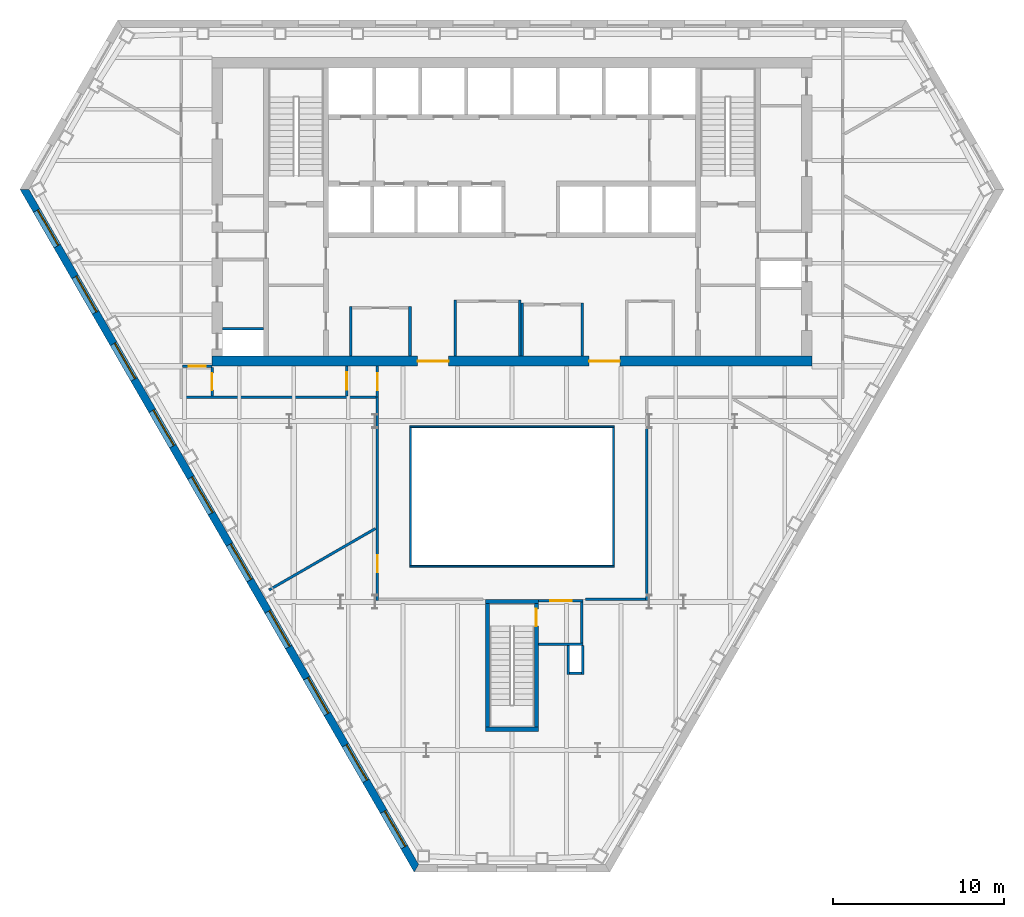
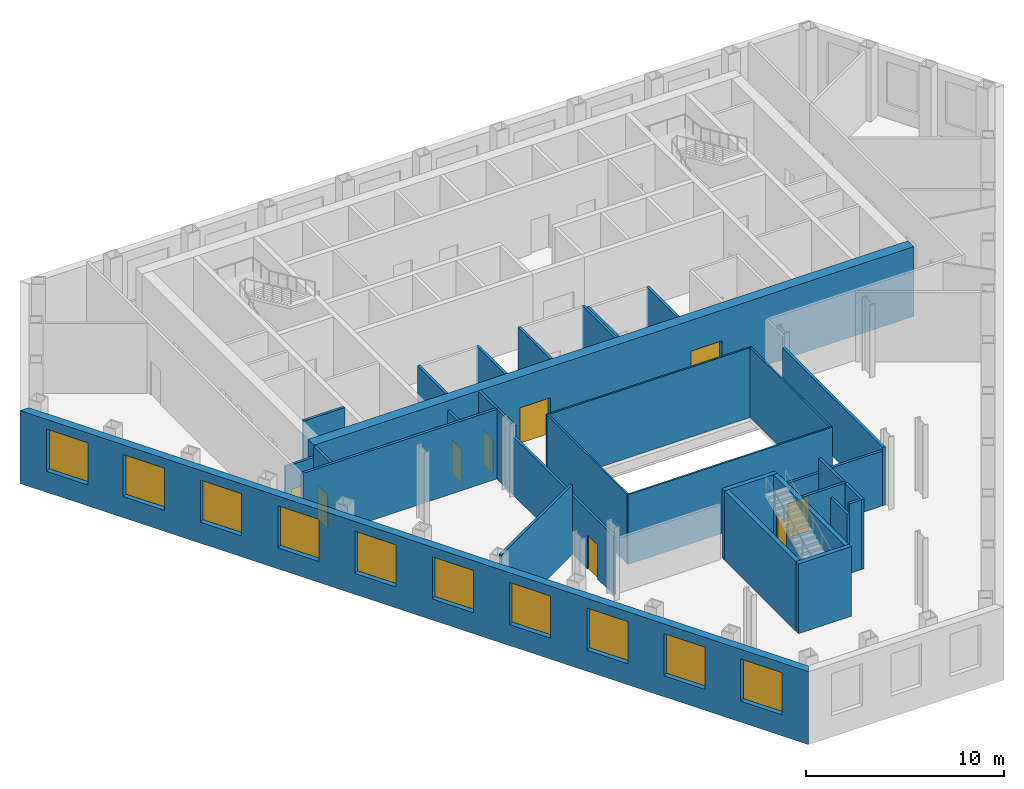
# One storey, part 4 of 10: 33 walls, 10 windows, 9 doors, 19 openings.
"""IFC4 building model written with IfcOpenShell, lengths in metres."""

from ifc_helpers import new_model, si_unit, direction, frame, frame_2d, origin, place, context, subcontext, project, spatial, polyline, rectangle, outline, extrude, material, layer, layer_set, type_object, element, fill, save


model = new_model("IFC4")

# Units and contexts
model_context = context("Model", 3, precision=1e-05, world=origin(), true_north=direction((0.0, 1.0)))
body_context = subcontext(model_context, "Body", "Model", "MODEL_VIEW")
ifc_project = project(units=[si_unit("LENGTHUNIT", "METRE"), si_unit("AREAUNIT", "SQUARE_METRE"), si_unit("VOLUMEUNIT", "CUBIC_METRE"), si_unit("PLANEANGLEUNIT", "RADIAN"), si_unit("MASSUNIT", "GRAM", prefix="KILO")], contexts=[model_context])

# Site, building, storey
site_placement = place(None, origin())
site = spatial("IfcSite", under=ifc_project, at=site_placement, CompositionType="ELEMENT")
building_placement = place(site_placement, origin())
building = spatial("IfcBuilding", under=site, at=building_placement, Name="Njiva Tower", CompositionType="ELEMENT")
storey_placement = place(building_placement, frame((0.0, 0.0, 51.3)))
storey = spatial("IfcBuildingStorey", under=building, at=storey_placement, Name="L10", CompositionType="ELEMENT", Elevation=51.3)

# Walls
ifc_material_1 = material(Name="Blockwork", Category="masonry")
ifc_layer_1 = layer(ifc_material_1, 0.15)
ifc_layer_set_1 = layer_set([ifc_layer_1], Name="Blockwork")
wall_type_1 = type_object("IfcWallType", Name="WT1 Compartment partition 150", PredefinedType="PARTITIONING", material=ifc_layer_set_1)
for number, where, z_axis, x_axis, name in (
    (1, (-9.4, 0.6, 0.0), (0.0, 0.0, 1.0), (0.0, 1.0, 0.0), "Waiting room wall west"),
    (2, (-5.95, 0.6, 0.0), (0.0, 0.0, 1.0), (0.0, 1.0, 0.0), "Waiting room wall east"),
):
    element("IfcWall", number, at=place(storey_placement, frame(where, z_axis=z_axis, x_axis=x_axis)), inside=storey, type_object=wall_type_1, Name=name, PredefinedType="PARTITIONING", context=body_context, shape_type="SweptSolid", body=[
        extrude(rectangle(XDim=2.875, YDim=0.15, at=frame_2d((1.4375, 0.0))), origin(), (0.0, 0.0, 1.0), 4.3),
    ])
for number, where, z_axis, x_axis, name in (
    (3, (-3.3, 0.6, 0.0), (0.0, 0.0, 1.0), (0.0, 1.0, 0.0), "First aid room wall west"),
    (4, (0.45, 0.6, 0.0), (0.0, 0.0, 1.0), (0.0, 1.0, 0.0), "First aid room wall east"),
):
    element("IfcWall", number, at=place(storey_placement, frame(where, z_axis=z_axis, x_axis=x_axis)), inside=storey, type_object=wall_type_1, Name=name, PredefinedType="PARTITIONING", context=body_context, shape_type="SweptSolid", body=[
        extrude(rectangle(XDim=3.275, YDim=0.15, at=frame_2d((1.6375, 0.0))), origin(), (0.0, 0.0, 1.0), 4.3),
    ])
for number, where, z_axis, x_axis, name in (
    (5, (0.6, 0.6, 0.0), (0.0, 0.0, 1.0), (0.0, 1.0, 0.0), "Parcel room wall west"),
    (6, (4.1, 0.6, 0.0), (0.0, 0.0, 1.0), (0.0, 1.0, 0.0), "Parcel room wall east"),
):
    element("IfcWall", number, at=place(storey_placement, frame(where, z_axis=z_axis, x_axis=x_axis)), inside=storey, type_object=wall_type_1, Name=name, PredefinedType="PARTITIONING", context=body_context, shape_type="SweptSolid", body=[
        extrude(rectangle(XDim=3.075, YDim=0.15, at=frame_2d((1.5375, 0.0))), origin(), (0.0, 0.0, 1.0), 4.3),
    ])

# Wall, openings, doors
ifc_material_2 = material(Name="Concrete C60/75", Category="concrete")
ifc_layer_2 = layer(ifc_material_2, 0.6)
ifc_layer_set_2 = layer_set([ifc_layer_2], Name="Concrete C60/75")
wall_type_2 = type_object("IfcWallType", Name="WT15 Core wall 600", PredefinedType="SHEAR", material=ifc_layer_set_2)
wall_1_placement = place(storey_placement, frame((-17.5, 0.3, 0.0), z_axis=(0.0, 0.0, 1.0), x_axis=(1.0, 0.0, 0.0)))
wall_1 = element("IfcWall", 7, at=wall_1_placement, inside=storey, type_object=wall_type_2, Name="Core wall south", PredefinedType="SHEAR", context=body_context, shape_type="SweptSolid", body=[
    extrude(rectangle(XDim=35.0, YDim=0.6, at=frame_2d((17.5, 0.0))), origin(), (0.0, 0.0, 1.0), 4.3),
])
opening_1_placement = place(wall_1_placement, frame((12.0, 0.0, 0.0)))
opening_1 = element("IfcOpeningElement", 8, at=opening_1_placement, cuts=wall_1, Name="Opening S03-D937", PredefinedType="OPENING", context=body_context, shape_type="SweptSolid", body=[
    extrude(rectangle(XDim=1.8, YDim=2.4, at=frame_2d((0.9, 1.2))), frame((0.0, 0.31, 0.0), z_axis=(0.0, -1.0, 0.0), x_axis=(1.0, 0.0, 0.0)), (0.0, 0.0, 1.0), 0.62),
])
opening_2_placement = place(wall_1_placement, frame((22.0, 0.0, 0.0)))
opening_2 = element("IfcOpeningElement", 9, at=opening_2_placement, cuts=wall_1, Name="Opening S03-D938", PredefinedType="OPENING", context=body_context, shape_type="SweptSolid", body=[
    extrude(rectangle(XDim=1.8, YDim=2.4, at=frame_2d((0.9, 1.2))), frame((0.0, 0.31, 0.0), z_axis=(0.0, -1.0, 0.0), x_axis=(1.0, 0.0, 0.0)), (0.0, 0.0, 1.0), 0.62),
])
ifc_material_3 = material(Name="Steel and glass door", Category="steel")
door_type_1 = type_object("IfcDoorType", Name="D3 Core entrance door 1800x2400", OperationType="DOUBLE_DOOR_SINGLE_SWING", PredefinedType="DOOR", material=ifc_material_3)
door_1_placement = place(opening_1_placement, origin())
door_1 = element("IfcDoor", 10, at=door_1_placement, inside=storey, type_object=door_type_1, Name="Core entrance door", OperationType="DOUBLE_DOOR_SINGLE_SWING", OverallHeight=2.4, OverallWidth=1.8, PredefinedType="DOOR", context=body_context, shape_type="SweptSolid", body=[
    extrude(rectangle(XDim=1.8, YDim=2.4, at=frame_2d((0.9, 1.2))), frame((0.0, 0.025, 0.0), z_axis=(0.0, -1.0, 0.0), x_axis=(1.0, 0.0, 0.0)), (0.0, 0.0, 1.0), 0.05),
])
fill(opening_1, door_1)
door_2_placement = place(opening_2_placement, origin())
door_2 = element("IfcDoor", 11, at=door_2_placement, inside=storey, type_object=door_type_1, Name="Core entrance door", OperationType="DOUBLE_DOOR_SINGLE_SWING", OverallHeight=2.4, OverallWidth=1.8, PredefinedType="DOOR", context=body_context, shape_type="SweptSolid", body=[
    extrude(rectangle(XDim=1.8, YDim=2.4, at=frame_2d((0.9, 1.2))), frame((0.0, 0.025, 0.0), z_axis=(0.0, -1.0, 0.0), x_axis=(1.0, 0.0, 0.0)), (0.0, 0.0, 1.0), 0.05),
])
fill(opening_2, door_2)

# Wall
ifc_material_4 = material(Name="Gypsum board on steel studs", Category="gypsum")
ifc_layer_3 = layer(ifc_material_4, 0.15)
ifc_layer_set_3 = layer_set([ifc_layer_3], Name="Gypsum board on steel studs")
wall_type_3 = type_object("IfcWallType", Name="WT21 Compartment wall 150", PredefinedType="PARTITIONING", material=ifc_layer_set_3)
wall_2_placement = place(storey_placement, frame((-19.225, -1.8, 0.0), z_axis=(0.0, 0.0, 1.0), x_axis=(1.0, 0.0, 0.0)))
element("IfcWall", 12, at=wall_2_placement, inside=storey, type_object=wall_type_3, Name="Partition S03-P003", PredefinedType="PARTITIONING", context=body_context, shape_type="SweptSolid", body=[
    extrude(rectangle(XDim=11.3, YDim=0.15, at=frame_2d((5.65, 0.0))), origin(), (0.0, 0.0, 1.0), 4.3),
])

# Wall, opening, door
wall_3_placement = place(storey_placement, frame((-19.225, 0.0, 0.0), z_axis=(0.0, 0.0, 1.0), x_axis=(1.0, 0.0, 0.0)))
wall_3 = element("IfcWall", 13, at=wall_3_placement, inside=storey, type_object=wall_type_3, Name="Partition S03-P004", PredefinedType="PARTITIONING", context=body_context, shape_type="SweptSolid", body=[
    extrude(rectangle(XDim=1.725, YDim=0.15, at=frame_2d((0.8625, 0.0))), origin(), (0.0, 0.0, 1.0), 3.61),
])
opening_3_placement = place(wall_3_placement, frame((0.363, 0.0, 0.0)))
opening_3 = element("IfcOpeningElement", 14, at=opening_3_placement, cuts=wall_3, Name="Opening S03-D003", PredefinedType="OPENING", context=body_context, shape_type="SweptSolid", body=[
    extrude(rectangle(XDim=1.0, YDim=2.1, at=frame_2d((0.5, 1.05))), frame((0.0, 0.085, 0.0), z_axis=(0.0, -1.0, 0.0), x_axis=(1.0, 0.0, 0.0)), (0.0, 0.0, 1.0), 0.17),
])
ifc_material_5 = material(Name="Steel fire door set", Category="steel")
door_type_2 = type_object("IfcDoorType", Name="D37 Fire door 1000x2100", OperationType="SINGLE_SWING_LEFT", PredefinedType="DOOR", material=ifc_material_5)
door_3_placement = place(opening_3_placement, origin())
door_3 = element("IfcDoor", 15, at=door_3_placement, inside=storey, type_object=door_type_2, Name="Door S03-D003", OperationType="SINGLE_SWING_LEFT", OverallHeight=2.1, OverallWidth=1.0, PredefinedType="DOOR", context=body_context, shape_type="SweptSolid", body=[
    extrude(rectangle(XDim=1.0, YDim=2.1, at=frame_2d((0.5, 1.05))), frame((0.0, 0.025, 0.0), z_axis=(0.0, -1.0, 0.0), x_axis=(1.0, 0.0, 0.0)), (0.0, 0.0, 1.0), 0.05),
])
fill(opening_3, door_3)

wall_4_placement = place(storey_placement, frame((-17.5, -1.725, 0.0), z_axis=(0.0, 0.0, 1.0), x_axis=(0.0, 1.0, 0.0)))
wall_4 = element("IfcWall", 16, at=wall_4_placement, inside=storey, type_object=wall_type_3, Name="Partition S03-P005", PredefinedType="PARTITIONING", context=body_context, shape_type="SweptSolid", body=[
    extrude(rectangle(XDim=1.65, YDim=0.15, at=frame_2d((0.825, 0.0))), origin(), (0.0, 0.0, 1.0), 4.3),
])
opening_4_placement = place(wall_4_placement, frame((0.325, 0.0, 0.0)))
opening_4 = element("IfcOpeningElement", 17, at=opening_4_placement, cuts=wall_4, Name="Opening S03-D004", PredefinedType="OPENING", context=body_context, shape_type="SweptSolid", body=[
    extrude(rectangle(XDim=1.0, YDim=2.1, at=frame_2d((0.5, 1.05))), frame((0.0, 0.085, 0.0), z_axis=(0.0, -1.0, 0.0), x_axis=(1.0, 0.0, 0.0)), (0.0, 0.0, 1.0), 0.17),
])
door_4_placement = place(opening_4_placement, origin())
door_4 = element("IfcDoor", 18, at=door_4_placement, inside=storey, type_object=door_type_2, Name="Door S03-D004", OperationType="SINGLE_SWING_LEFT", OverallHeight=2.1, OverallWidth=1.0, PredefinedType="DOOR", context=body_context, shape_type="SweptSolid", body=[
    extrude(rectangle(XDim=1.0, YDim=2.1, at=frame_2d((0.5, 1.05))), frame((0.0, 0.025, 0.0), z_axis=(0.0, -1.0, 0.0), x_axis=(1.0, 0.0, 0.0)), (0.0, 0.0, 1.0), 0.05),
])
fill(opening_4, door_4)

# Wall
wall_5_placement = place(storey_placement, frame((-14.172, -13.053, 0.0), z_axis=(0.0, 0.0, 1.0), x_axis=(0.866046247233, 0.49996389635, 0.0)))
element("IfcWall", 19, at=wall_5_placement, inside=storey, type_object=wall_type_3, Name="Partition S03-P006", PredefinedType="PARTITIONING", context=body_context, shape_type="SweptSolid", body=[
    extrude(rectangle(XDim=7.1705, YDim=0.15, at=frame_2d((3.5852, 0.0))), origin(), (0.0, 0.0, 1.0), 4.3),
])

# Wall, opening, door
wall_6_placement = place(storey_placement, frame((-9.65, -1.725, 0.0), z_axis=(0.0, 0.0, 1.0), x_axis=(0.0, 1.0, 0.0)))
wall_6 = element("IfcWall", 20, at=wall_6_placement, inside=storey, type_object=wall_type_3, Name="Partition S03-P007", PredefinedType="PARTITIONING", context=body_context, shape_type="SweptSolid", body=[
    extrude(rectangle(XDim=1.725, YDim=0.15, at=frame_2d((0.8625, 0.0))), origin(), (0.0, 0.0, 1.0), 3.7),
])
opening_5_placement = place(wall_6_placement, frame((0.363, 0.0, 0.0)))
opening_5 = element("IfcOpeningElement", 21, at=opening_5_placement, cuts=wall_6, Name="Opening S03-D005", PredefinedType="OPENING", context=body_context, shape_type="SweptSolid", body=[
    extrude(rectangle(XDim=1.0, YDim=2.1, at=frame_2d((0.5, 1.05))), frame((0.0, 0.085, 0.0), z_axis=(0.0, -1.0, 0.0), x_axis=(1.0, 0.0, 0.0)), (0.0, 0.0, 1.0), 0.17),
])
door_5_placement = place(opening_5_placement, origin())
door_5 = element("IfcDoor", 22, at=door_5_placement, inside=storey, type_object=door_type_2, Name="Door S03-D005", OperationType="SINGLE_SWING_LEFT", OverallHeight=2.1, OverallWidth=1.0, PredefinedType="DOOR", context=body_context, shape_type="SweptSolid", body=[
    extrude(rectangle(XDim=1.0, YDim=2.1, at=frame_2d((0.5, 1.05))), frame((0.0, 0.025, 0.0), z_axis=(0.0, -1.0, 0.0), x_axis=(1.0, 0.0, 0.0)), (0.0, 0.0, 1.0), 0.05),
])
fill(opening_5, door_5)

wall_7_placement = place(storey_placement, frame((-7.85, -13.675, 0.0), z_axis=(0.0, 0.0, 1.0), x_axis=(0.0, 1.0, 0.0)))
wall_7 = element("IfcWall", 23, at=wall_7_placement, inside=storey, type_object=wall_type_3, Name="Partition S03-P008", PredefinedType="PARTITIONING", context=body_context, shape_type="SweptSolid", body=[
    extrude(rectangle(XDim=10.118, YDim=0.15, at=frame_2d((5.059, 0.0))), origin(), (0.0, 0.0, 1.0), 3.61),
])
opening_6_placement = place(wall_7_placement, frame((1.646, 0.0, 0.0)))
opening_6 = element("IfcOpeningElement", 24, at=opening_6_placement, cuts=wall_7, Name="Opening S03-D006", PredefinedType="OPENING", context=body_context, shape_type="SweptSolid", body=[
    extrude(rectangle(XDim=1.0, YDim=2.1, at=frame_2d((0.5, 1.05))), frame((0.0, 0.085, 0.0), z_axis=(0.0, -1.0, 0.0), x_axis=(1.0, 0.0, 0.0)), (0.0, 0.0, 1.0), 0.17),
])
door_6_placement = place(opening_6_placement, origin())
door_6 = element("IfcDoor", 25, at=door_6_placement, inside=storey, type_object=door_type_2, Name="Door S03-D006", OperationType="SINGLE_SWING_RIGHT", OverallHeight=2.1, OverallWidth=1.0, PredefinedType="DOOR", context=body_context, shape_type="SweptSolid", body=[
    extrude(rectangle(XDim=1.0, YDim=2.1, at=frame_2d((0.5, 1.05))), frame((0.0, 0.025, 0.0), z_axis=(0.0, -1.0, 0.0), x_axis=(1.0, 0.0, 0.0)), (0.0, 0.0, 1.0), 0.05),
])
fill(opening_6, door_6)

# Wall
wall_8_placement = place(storey_placement, frame((-7.85, -3.557, 0.0), z_axis=(0.0, 0.0, 1.0), x_axis=(0.0, 1.0, 0.0)))
element("IfcWall", 26, at=wall_8_placement, inside=storey, type_object=wall_type_3, Name="Partition S03-P008A", PredefinedType="PARTITIONING", context=body_context, shape_type="SweptSolid", body=[
    extrude(rectangle(XDim=1.754, YDim=0.15, at=frame_2d((0.877, 0.0))), origin(), (0.0, 0.0, 1.0), 4.3),
])

# Wall, opening, door
wall_9_placement = place(storey_placement, frame((-7.85, -1.8, 0.0), z_axis=(0.0, 0.0, 1.0), x_axis=(0.0, 1.0, 0.0)))
wall_9 = element("IfcWall", 27, at=wall_9_placement, inside=storey, type_object=wall_type_3, Name="Partition S03-P009", PredefinedType="PARTITIONING", context=body_context, shape_type="SweptSolid", body=[
    extrude(rectangle(XDim=1.8, YDim=0.15, at=frame_2d((0.9, 0.0))), origin(), (0.0, 0.0, 1.0), 4.3),
])
opening_7_placement = place(wall_9_placement, frame((0.4, 0.0, 0.0)))
opening_7 = element("IfcOpeningElement", 28, at=opening_7_placement, cuts=wall_9, Name="Opening S03-D007", PredefinedType="OPENING", context=body_context, shape_type="SweptSolid", body=[
    extrude(rectangle(XDim=1.0, YDim=2.1, at=frame_2d((0.5, 1.05))), frame((0.0, 0.085, 0.0), z_axis=(0.0, -1.0, 0.0), x_axis=(1.0, 0.0, 0.0)), (0.0, 0.0, 1.0), 0.17),
])
door_7_placement = place(opening_7_placement, origin())
door_7 = element("IfcDoor", 29, at=door_7_placement, inside=storey, type_object=door_type_2, Name="Door S03-D007", OperationType="SINGLE_SWING_LEFT", OverallHeight=2.1, OverallWidth=1.0, PredefinedType="DOOR", context=body_context, shape_type="SweptSolid", body=[
    extrude(rectangle(XDim=1.0, YDim=2.1, at=frame_2d((0.5, 1.05))), frame((0.0, 0.025, 0.0), z_axis=(0.0, -1.0, 0.0), x_axis=(1.0, 0.0, 0.0)), (0.0, 0.0, 1.0), 0.05),
])
fill(opening_7, door_7)

# Walls
wall_10_placement = place(storey_placement, frame((4.3, -13.6, 0.0), z_axis=(0.0, 0.0, 1.0), x_axis=(1.0, 0.0, 0.0)))
element("IfcWall", 30, at=wall_10_placement, inside=storey, type_object=wall_type_3, Name="Partition S03-P011", PredefinedType="PARTITIONING", context=body_context, shape_type="SweptSolid", body=[
    extrude(rectangle(XDim=3.475, YDim=0.15, at=frame_2d((1.7375, 0.0))), origin(), (0.0, 0.0, 1.0), 3.39),
])
wall_11_placement = place(storey_placement, frame((7.85, -13.675, 0.0), z_axis=(0.0, 0.0, 1.0), x_axis=(0.0, 1.0, 0.0)))
element("IfcWall", 31, at=wall_11_placement, inside=storey, type_object=wall_type_3, Name="Partition S03-P012", PredefinedType="PARTITIONING", context=body_context, shape_type="SweptSolid", body=[
    extrude(rectangle(XDim=10.118, YDim=0.15, at=frame_2d((5.059, 0.0))), origin(), (0.0, 0.0, 1.0), 3.61),
])
ifc_layer_4 = layer(ifc_material_1, 0.15)
ifc_layer_set_4 = layer_set([ifc_layer_4], Name="Blockwork")
wall_type_4 = type_object("IfcWallType", Name="WT3 Riser partition 150", PredefinedType="PARTITIONING", material=ifc_layer_set_4)
wall_12_placement = place(storey_placement, frame((-16.9, 2.175, 0.0), z_axis=(0.0, 0.0, 1.0), x_axis=(1.0, 0.0, 0.0)))
element("IfcWall", 32, at=wall_12_placement, inside=storey, type_object=wall_type_4, Name="Partition strip W00", PredefinedType="PARTITIONING", context=body_context, shape_type="SweptSolid", body=[
    extrude(rectangle(XDim=2.4, YDim=0.15, at=frame_2d((1.2, 0.0))), origin(), (0.0, 0.0, 1.0), 4.3),
])
ifc_layer_5 = layer(ifc_material_1, 0.15)
ifc_layer_set_5 = layer_set([ifc_layer_5], Name="Blockwork")
wall_type_5 = type_object("IfcWallType", Name="WT4 Stair partition 150", PredefinedType="PARTITIONING", material=ifc_layer_set_5)
wall_13_placement = place(storey_placement, frame((1.55, -16.225, 0.0), z_axis=(0.0, 0.0, 1.0), x_axis=(1.0, 0.0, 0.0)))
element("IfcWall", 33, at=wall_13_placement, inside=storey, type_object=wall_type_5, Name="Stair C vestibule wall south", PredefinedType="PARTITIONING", context=body_context, shape_type="SweptSolid", body=[
    extrude(rectangle(XDim=2.6, YDim=0.15, at=frame_2d((1.3, 0.0))), origin(), (0.0, 0.0, 1.0), 4.3),
])
wall_14_placement = place(storey_placement, frame((4.075, -16.15, 0.0), z_axis=(0.0, 0.0, 1.0), x_axis=(0.0, 1.0, 0.0)))
element("IfcWall", 34, at=wall_14_placement, inside=storey, type_object=wall_type_5, Name="Stair C vestibule wall east", PredefinedType="PARTITIONING", context=body_context, shape_type="SweptSolid", body=[
    extrude(rectangle(XDim=2.4, YDim=0.15, at=frame_2d((1.2, 0.0))), origin(), (0.0, 0.0, 1.0), 4.3),
])

# Wall, opening, door
wall_15_placement = place(storey_placement, frame((1.55, -13.675, 0.0), z_axis=(0.0, 0.0, 1.0), x_axis=(1.0, 0.0, 0.0)))
wall_15 = element("IfcWall", 35, at=wall_15_placement, inside=storey, type_object=wall_type_5, Name="Stair C vestibule wall north", PredefinedType="PARTITIONING", context=body_context, shape_type="SweptSolid", body=[
    extrude(rectangle(XDim=2.6, YDim=0.15, at=frame_2d((1.3, 0.0))), origin(), (0.0, 0.0, 1.0), 3.39),
])
opening_8_placement = place(wall_15_placement, frame((0.675, 0.0, 0.0)))
opening_8 = element("IfcOpeningElement", 36, at=opening_8_placement, cuts=wall_15, Name="Opening S03-D940", PredefinedType="OPENING", context=body_context, shape_type="SweptSolid", body=[
    extrude(rectangle(XDim=1.25, YDim=2.1, at=frame_2d((0.625, 1.05))), frame((0.0, 0.085, 0.0), z_axis=(0.0, -1.0, 0.0), x_axis=(1.0, 0.0, 0.0)), (0.0, 0.0, 1.0), 0.17),
])
ifc_material_6 = material(Name="Glazed steel fire door", Category="steel")
door_type_3 = type_object("IfcDoorType", Name="D8 Vestibule corridor door 1250x2100 glazed", OperationType="SINGLE_SWING_LEFT", PredefinedType="DOOR", material=ifc_material_6)
door_8_placement = place(opening_8_placement, origin())
door_8 = element("IfcDoor", 37, at=door_8_placement, inside=storey, type_object=door_type_3, Name="Stair vestibule corridor door", OperationType="SINGLE_SWING_RIGHT", OverallHeight=2.1, OverallWidth=1.25, PredefinedType="DOOR", context=body_context, shape_type="SweptSolid", body=[
    extrude(rectangle(XDim=1.25, YDim=2.1, at=frame_2d((0.625, 1.05))), frame((0.0, 0.025, 0.0), z_axis=(0.0, -1.0, 0.0), x_axis=(1.0, 0.0, 0.0)), (0.0, 0.0, 1.0), 0.05),
])
fill(opening_8, door_8)

# Walls
wall_16_placement = place(storey_placement, frame((3.275, -18.0, 0.0), z_axis=(0.0, 0.0, 1.0), x_axis=(0.0, 1.0, 0.0)))
element("IfcWall", 38, at=wall_16_placement, inside=storey, type_object=wall_type_5, Name="Stair C pressurisation shaft wall", PredefinedType="PARTITIONING", context=body_context, shape_type="SweptSolid", body=[
    extrude(rectangle(XDim=1.7, YDim=0.15, at=frame_2d((0.85, 0.0))), origin(), (0.0, 0.0, 1.0), 3.7),
])
wall_17_placement = place(storey_placement, frame((3.35, -17.925, 0.0), z_axis=(0.0, 0.0, 1.0), x_axis=(1.0, 0.0, 0.0)))
element("IfcWall", 39, at=wall_17_placement, inside=storey, type_object=wall_type_5, Name="Stair C pressurisation shaft wall", PredefinedType="PARTITIONING", context=body_context, shape_type="SweptSolid", body=[
    extrude(rectangle(XDim=0.7, YDim=0.15, at=frame_2d((0.35, 0.0))), origin(), (0.0, 0.0, 1.0), 4.3),
])
wall_18_placement = place(storey_placement, frame((4.125, -18.0, 0.0), z_axis=(0.0, 0.0, 1.0), x_axis=(0.0, 1.0, 0.0)))
element("IfcWall", 40, at=wall_18_placement, inside=storey, type_object=wall_type_5, Name="Stair C pressurisation shaft wall", PredefinedType="PARTITIONING", context=body_context, shape_type="SweptSolid", body=[
    extrude(rectangle(XDim=1.7, YDim=0.15, at=frame_2d((0.85, 0.0))), origin(), (0.0, 0.0, 1.0), 4.3),
])
ifc_material_7 = material(Name="Concrete C40/50", Category="concrete")
ifc_layer_6 = layer(ifc_material_7, 0.25)
ifc_layer_set_6 = layer_set([ifc_layer_6], Name="Concrete C40/50")
wall_type_6 = type_object("IfcWallType", Name="WT9 Stair enclosure wall 250", PredefinedType="SHEAR", material=ifc_layer_set_6)
wall_19_placement = place(storey_placement, frame((-1.425, -21.05, 0.0), z_axis=(0.0, 0.0, 1.0), x_axis=(0.0, 1.0, 0.0)))
element("IfcWall", 41, at=wall_19_placement, inside=storey, type_object=wall_type_6, Name="Stair C wall west", PredefinedType="SHEAR", context=body_context, shape_type="SweptSolid", body=[
    extrude(rectangle(XDim=7.2, YDim=0.25, at=frame_2d((3.6, 0.0))), origin(), (0.0, 0.0, 1.0), 4.3),
])

# Wall, opening, door
wall_20_placement = place(storey_placement, frame((1.425, -21.05, 0.0), z_axis=(0.0, 0.0, 1.0), x_axis=(0.0, 1.0, 0.0)))
wall_20 = element("IfcWall", 42, at=wall_20_placement, inside=storey, type_object=wall_type_6, Name="Stair C wall east", PredefinedType="SHEAR", context=body_context, shape_type="SweptSolid", body=[
    extrude(rectangle(XDim=7.2, YDim=0.25, at=frame_2d((3.6, 0.0))), origin(), (0.0, 0.0, 1.0), 4.3),
])
opening_9_placement = place(wall_20_placement, frame((5.89, 0.0, 0.0)))
opening_9 = element("IfcOpeningElement", 43, at=opening_9_placement, cuts=wall_20, Name="Opening S03-D939", PredefinedType="OPENING", context=body_context, shape_type="SweptSolid", body=[
    extrude(rectangle(XDim=1.0, YDim=2.1, at=frame_2d((0.5, 1.05))), frame((0.0, 0.135, 0.0), z_axis=(0.0, -1.0, 0.0), x_axis=(1.0, 0.0, 0.0)), (0.0, 0.0, 1.0), 0.27),
])
door_type_4 = type_object("IfcDoorType", Name="D9 Stair vestibule door 1000x2100 glazed", OperationType="SINGLE_SWING_LEFT", PredefinedType="DOOR", material=ifc_material_6)
door_9_placement = place(opening_9_placement, origin())
door_9 = element("IfcDoor", 44, at=door_9_placement, inside=storey, type_object=door_type_4, Name="Stair C door", OperationType="SINGLE_SWING_LEFT", OverallHeight=2.1, OverallWidth=1.0, PredefinedType="DOOR", context=body_context, shape_type="SweptSolid", body=[
    extrude(rectangle(XDim=1.0, YDim=2.1, at=frame_2d((0.5, 1.05))), frame((0.0, 0.025, 0.0), z_axis=(0.0, -1.0, 0.0), x_axis=(1.0, 0.0, 0.0)), (0.0, 0.0, 1.0), 0.05),
])
fill(opening_9, door_9)

# Walls
for number, where, z_axis, x_axis, name in (
    (45, (-1.55, -21.175, 0.0), (0.0, 0.0, 1.0), (1.0, 0.0, 0.0), "Stair C wall south"),
    (46, (-1.55, -13.725, 0.0), (0.0, 0.0, 1.0), (1.0, 0.0, 0.0), "Stair C wall north"),
):
    element("IfcWall", number, at=place(storey_placement, frame(where, z_axis=z_axis, x_axis=x_axis)), inside=storey, type_object=wall_type_6, Name=name, PredefinedType="SHEAR", context=body_context, shape_type="SweptSolid", body=[
        extrude(rectangle(XDim=3.1, YDim=0.25, at=frame_2d((1.55, 0.0))), origin(), (0.0, 0.0, 1.0), 4.3),
    ])

# Wall, openings, windows
ifc_material_8 = material(Name="Brick masonry", Category="masonry")
ifc_layer_7 = layer(ifc_material_8, 0.45)
ifc_layer_set_7 = layer_set([ifc_layer_7], Name="Brick masonry")
wall_type_7 = type_object("IfcWallType", Name="WT90 Brick pier and spandrel wall 450", PredefinedType="SOLIDWALL", material=ifc_layer_set_7)
wall_21_placement = place(storey_placement, frame((-28.4452, 10.3187, -0.4), z_axis=(0.0, 0.0, 1.0), x_axis=(0.499999764979, -0.866025539474, 0.0)))
wall_21 = element("IfcWall", 47, at=wall_21_placement, inside=storey, type_object=wall_type_7, Name="Facade wall SW", PredefinedType="SOLIDWALL", context=body_context, shape_type="SweptSolid", body=[
    extrude(outline(polyline([(-0.1299, -0.225), (45.8701, -0.225), (45.6103, 0.225), (0.1299, 0.225), (-0.1299, -0.225)])), origin(), (0.0, 0.0, 1.0), 4.5),
])
opening_10_placement = place(wall_21_placement, frame((1.4242, 0.0, 1.3)))
opening_10 = element("IfcOpeningElement", 48, at=opening_10_placement, cuts=wall_21, Name="Opening S03-W12", PredefinedType="OPENING", context=body_context, shape_type="SweptSolid", body=[
    extrude(rectangle(XDim=2.4, YDim=2.6, at=frame_2d((1.2, 1.3))), frame((0.0, 0.235, 0.0), z_axis=(0.0, -1.0, 0.0), x_axis=(1.0, 0.0, 0.0)), (0.0, 0.0, 1.0), 0.47),
])
opening_11_placement = place(wall_21_placement, frame((5.8934, 0.0, 1.3)))
opening_11 = element("IfcOpeningElement", 49, at=opening_11_placement, cuts=wall_21, Name="Opening S03-W13", PredefinedType="OPENING", context=body_context, shape_type="SweptSolid", body=[
    extrude(rectangle(XDim=2.4, YDim=2.6, at=frame_2d((1.2, 1.3))), frame((0.0, 0.235, 0.0), z_axis=(0.0, -1.0, 0.0), x_axis=(1.0, 0.0, 0.0)), (0.0, 0.0, 1.0), 0.47),
])
opening_12_placement = place(wall_21_placement, frame((10.401, 0.0, 1.3)))
opening_12 = element("IfcOpeningElement", 50, at=opening_12_placement, cuts=wall_21, Name="Opening S03-W14", PredefinedType="OPENING", context=body_context, shape_type="SweptSolid", body=[
    extrude(rectangle(XDim=2.4, YDim=2.6, at=frame_2d((1.2, 1.3))), frame((0.0, 0.235, 0.0), z_axis=(0.0, -1.0, 0.0), x_axis=(1.0, 0.0, 0.0)), (0.0, 0.0, 1.0), 0.47),
])
opening_13_placement = place(wall_21_placement, frame((14.9087, 0.0, 1.3)))
opening_13 = element("IfcOpeningElement", 51, at=opening_13_placement, cuts=wall_21, Name="Opening S03-W15", PredefinedType="OPENING", context=body_context, shape_type="SweptSolid", body=[
    extrude(rectangle(XDim=2.4, YDim=2.6, at=frame_2d((1.2, 1.3))), frame((0.0, 0.235, 0.0), z_axis=(0.0, -1.0, 0.0), x_axis=(1.0, 0.0, 0.0)), (0.0, 0.0, 1.0), 0.47),
])
opening_14_placement = place(wall_21_placement, frame((19.4163, 0.0, 1.3)))
opening_14 = element("IfcOpeningElement", 52, at=opening_14_placement, cuts=wall_21, Name="Opening S03-W16", PredefinedType="OPENING", context=body_context, shape_type="SweptSolid", body=[
    extrude(rectangle(XDim=2.4, YDim=2.6, at=frame_2d((1.2, 1.3))), frame((0.0, 0.235, 0.0), z_axis=(0.0, -1.0, 0.0), x_axis=(1.0, 0.0, 0.0)), (0.0, 0.0, 1.0), 0.47),
])
opening_15_placement = place(wall_21_placement, frame((23.9239, 0.0, 1.3)))
opening_15 = element("IfcOpeningElement", 53, at=opening_15_placement, cuts=wall_21, Name="Opening S03-W17", PredefinedType="OPENING", context=body_context, shape_type="SweptSolid", body=[
    extrude(rectangle(XDim=2.4, YDim=2.6, at=frame_2d((1.2, 1.3))), frame((0.0, 0.235, 0.0), z_axis=(0.0, -1.0, 0.0), x_axis=(1.0, 0.0, 0.0)), (0.0, 0.0, 1.0), 0.47),
])
opening_16_placement = place(wall_21_placement, frame((28.4315, 0.0, 1.3)))
opening_16 = element("IfcOpeningElement", 54, at=opening_16_placement, cuts=wall_21, Name="Opening S03-W18", PredefinedType="OPENING", context=body_context, shape_type="SweptSolid", body=[
    extrude(rectangle(XDim=2.4, YDim=2.6, at=frame_2d((1.2, 1.3))), frame((0.0, 0.235, 0.0), z_axis=(0.0, -1.0, 0.0), x_axis=(1.0, 0.0, 0.0)), (0.0, 0.0, 1.0), 0.47),
])
opening_17_placement = place(wall_21_placement, frame((32.9391, 0.0, 1.3)))
opening_17 = element("IfcOpeningElement", 55, at=opening_17_placement, cuts=wall_21, Name="Opening S03-W19", PredefinedType="OPENING", context=body_context, shape_type="SweptSolid", body=[
    extrude(rectangle(XDim=2.4, YDim=2.6, at=frame_2d((1.2, 1.3))), frame((0.0, 0.235, 0.0), z_axis=(0.0, -1.0, 0.0), x_axis=(1.0, 0.0, 0.0)), (0.0, 0.0, 1.0), 0.47),
])
opening_18_placement = place(wall_21_placement, frame((37.4468, 0.0, 1.3)))
opening_18 = element("IfcOpeningElement", 56, at=opening_18_placement, cuts=wall_21, Name="Opening S03-W20", PredefinedType="OPENING", context=body_context, shape_type="SweptSolid", body=[
    extrude(rectangle(XDim=2.4, YDim=2.6, at=frame_2d((1.2, 1.3))), frame((0.0, 0.235, 0.0), z_axis=(0.0, -1.0, 0.0), x_axis=(1.0, 0.0, 0.0)), (0.0, 0.0, 1.0), 0.47),
])
opening_19_placement = place(wall_21_placement, frame((41.916, 0.0, 1.3)))
opening_19 = element("IfcOpeningElement", 57, at=opening_19_placement, cuts=wall_21, Name="Opening S03-W21", PredefinedType="OPENING", context=body_context, shape_type="SweptSolid", body=[
    extrude(rectangle(XDim=2.4, YDim=2.6, at=frame_2d((1.2, 1.3))), frame((0.0, 0.235, 0.0), z_axis=(0.0, -1.0, 0.0), x_axis=(1.0, 0.0, 0.0)), (0.0, 0.0, 1.0), 0.47),
])
ifc_material_9 = material(Name="Clear glazing in aluminium frame", Category="aluminium")
window_type = type_object("IfcWindowType", Name="W92 Deep-set window 2400x2600", PartitioningType="SINGLE_PANEL", PredefinedType="WINDOW", material=ifc_material_9)
window_1_placement = place(opening_10_placement, origin())
window_1 = element("IfcWindow", 58, at=window_1_placement, inside=storey, type_object=window_type, Name="Window", OverallHeight=2.6, OverallWidth=2.4, PartitioningType="SINGLE_PANEL", PredefinedType="WINDOW", context=body_context, shape_type="SweptSolid", body=[
    extrude(rectangle(XDim=2.4, YDim=2.6, at=frame_2d((1.2, 1.3))), frame((0.0, 0.105, 0.0), z_axis=(0.0, -1.0, 0.0), x_axis=(1.0, 0.0, 0.0)), (0.0, 0.0, 1.0), 0.06),
])
fill(opening_10, window_1)
window_2_placement = place(opening_11_placement, origin())
window_2 = element("IfcWindow", 59, at=window_2_placement, inside=storey, type_object=window_type, Name="Window", OverallHeight=2.6, OverallWidth=2.4, PartitioningType="SINGLE_PANEL", PredefinedType="WINDOW", context=body_context, shape_type="SweptSolid", body=[
    extrude(rectangle(XDim=2.4, YDim=2.6, at=frame_2d((1.2, 1.3))), frame((0.0, 0.105, 0.0), z_axis=(0.0, -1.0, 0.0), x_axis=(1.0, 0.0, 0.0)), (0.0, 0.0, 1.0), 0.06),
])
fill(opening_11, window_2)
window_3_placement = place(opening_12_placement, origin())
window_3 = element("IfcWindow", 60, at=window_3_placement, inside=storey, type_object=window_type, Name="Window", OverallHeight=2.6, OverallWidth=2.4, PartitioningType="SINGLE_PANEL", PredefinedType="WINDOW", context=body_context, shape_type="SweptSolid", body=[
    extrude(rectangle(XDim=2.4, YDim=2.6, at=frame_2d((1.2, 1.3))), frame((0.0, 0.105, 0.0), z_axis=(0.0, -1.0, 0.0), x_axis=(1.0, 0.0, 0.0)), (0.0, 0.0, 1.0), 0.06),
])
fill(opening_12, window_3)
window_4_placement = place(opening_13_placement, origin())
window_4 = element("IfcWindow", 61, at=window_4_placement, inside=storey, type_object=window_type, Name="Window", OverallHeight=2.6, OverallWidth=2.4, PartitioningType="SINGLE_PANEL", PredefinedType="WINDOW", context=body_context, shape_type="SweptSolid", body=[
    extrude(rectangle(XDim=2.4, YDim=2.6, at=frame_2d((1.2, 1.3))), frame((0.0, 0.105, 0.0), z_axis=(0.0, -1.0, 0.0), x_axis=(1.0, 0.0, 0.0)), (0.0, 0.0, 1.0), 0.06),
])
fill(opening_13, window_4)
window_5_placement = place(opening_14_placement, origin())
window_5 = element("IfcWindow", 62, at=window_5_placement, inside=storey, type_object=window_type, Name="Window", OverallHeight=2.6, OverallWidth=2.4, PartitioningType="SINGLE_PANEL", PredefinedType="WINDOW", context=body_context, shape_type="SweptSolid", body=[
    extrude(rectangle(XDim=2.4, YDim=2.6, at=frame_2d((1.2, 1.3))), frame((0.0, 0.105, 0.0), z_axis=(0.0, -1.0, 0.0), x_axis=(1.0, 0.0, 0.0)), (0.0, 0.0, 1.0), 0.06),
])
fill(opening_14, window_5)
window_6_placement = place(opening_15_placement, origin())
window_6 = element("IfcWindow", 63, at=window_6_placement, inside=storey, type_object=window_type, Name="Window", OverallHeight=2.6, OverallWidth=2.4, PartitioningType="SINGLE_PANEL", PredefinedType="WINDOW", context=body_context, shape_type="SweptSolid", body=[
    extrude(rectangle(XDim=2.4, YDim=2.6, at=frame_2d((1.2, 1.3))), frame((0.0, 0.105, 0.0), z_axis=(0.0, -1.0, 0.0), x_axis=(1.0, 0.0, 0.0)), (0.0, 0.0, 1.0), 0.06),
])
fill(opening_15, window_6)
window_7_placement = place(opening_16_placement, origin())
window_7 = element("IfcWindow", 64, at=window_7_placement, inside=storey, type_object=window_type, Name="Window", OverallHeight=2.6, OverallWidth=2.4, PartitioningType="SINGLE_PANEL", PredefinedType="WINDOW", context=body_context, shape_type="SweptSolid", body=[
    extrude(rectangle(XDim=2.4, YDim=2.6, at=frame_2d((1.2, 1.3))), frame((0.0, 0.105, 0.0), z_axis=(0.0, -1.0, 0.0), x_axis=(1.0, 0.0, 0.0)), (0.0, 0.0, 1.0), 0.06),
])
fill(opening_16, window_7)
window_8_placement = place(opening_17_placement, origin())
window_8 = element("IfcWindow", 65, at=window_8_placement, inside=storey, type_object=window_type, Name="Window", OverallHeight=2.6, OverallWidth=2.4, PartitioningType="SINGLE_PANEL", PredefinedType="WINDOW", context=body_context, shape_type="SweptSolid", body=[
    extrude(rectangle(XDim=2.4, YDim=2.6, at=frame_2d((1.2, 1.3))), frame((0.0, 0.105, 0.0), z_axis=(0.0, -1.0, 0.0), x_axis=(1.0, 0.0, 0.0)), (0.0, 0.0, 1.0), 0.06),
])
fill(opening_17, window_8)
window_9_placement = place(opening_18_placement, origin())
window_9 = element("IfcWindow", 66, at=window_9_placement, inside=storey, type_object=window_type, Name="Window", OverallHeight=2.6, OverallWidth=2.4, PartitioningType="SINGLE_PANEL", PredefinedType="WINDOW", context=body_context, shape_type="SweptSolid", body=[
    extrude(rectangle(XDim=2.4, YDim=2.6, at=frame_2d((1.2, 1.3))), frame((0.0, 0.105, 0.0), z_axis=(0.0, -1.0, 0.0), x_axis=(1.0, 0.0, 0.0)), (0.0, 0.0, 1.0), 0.06),
])
fill(opening_18, window_9)
window_10_placement = place(opening_19_placement, origin())
window_10 = element("IfcWindow", 67, at=window_10_placement, inside=storey, type_object=window_type, Name="Window", OverallHeight=2.6, OverallWidth=2.4, PartitioningType="SINGLE_PANEL", PredefinedType="WINDOW", context=body_context, shape_type="SweptSolid", body=[
    extrude(rectangle(XDim=2.4, YDim=2.6, at=frame_2d((1.2, 1.3))), frame((0.0, 0.105, 0.0), z_axis=(0.0, -1.0, 0.0), x_axis=(1.0, 0.0, 0.0)), (0.0, 0.0, 1.0), 0.06),
])
fill(opening_19, window_10)

# Walls
ifc_material_10 = material(Name="Fire-resisting glazing EI 90", Category="glass")
ifc_layer_8 = layer(ifc_material_10, 0.1)
ifc_layer_set_8 = layer_set([ifc_layer_8], Name="Fire-resisting glazing EI 90")
wall_type_8 = type_object("IfcWallType", Name="WT95 Fire-resisting glazed screen EI 90", PredefinedType="PARTITIONING", material=ifc_layer_set_8)
wall_22_placement = place(storey_placement, frame((-5.97, -11.67, 0.0), z_axis=(0.0, 0.0, 1.0), x_axis=(1.0, 0.0, 0.0)))
element("IfcWall", 68, at=wall_22_placement, inside=storey, type_object=wall_type_8, Name="Atrium fire screen south", PredefinedType="PARTITIONING", context=body_context, shape_type="SweptSolid", body=[
    extrude(rectangle(XDim=11.94, YDim=0.1, at=frame_2d((5.97, 0.0))), origin(), (0.0, 0.0, 1.0), 4.3),
])
wall_23_placement = place(storey_placement, frame((5.92, -11.62, 0.0), z_axis=(0.0, 0.0, 1.0), x_axis=(0.0, 1.0, 0.0)))
element("IfcWall", 69, at=wall_23_placement, inside=storey, type_object=wall_type_8, Name="Atrium fire screen east", PredefinedType="PARTITIONING", context=body_context, shape_type="SweptSolid", body=[
    extrude(rectangle(XDim=8.04, YDim=0.1, at=frame_2d((4.02, 0.0))), origin(), (0.0, 0.0, 1.0), 4.3),
])
wall_24_placement = place(storey_placement, frame((5.97, -3.53, 0.0), z_axis=(0.0, 0.0, 1.0), x_axis=(-1.0, 0.0, 0.0)))
element("IfcWall", 70, at=wall_24_placement, inside=storey, type_object=wall_type_8, Name="Atrium fire screen north", PredefinedType="PARTITIONING", context=body_context, shape_type="SweptSolid", body=[
    extrude(rectangle(XDim=11.94, YDim=0.1, at=frame_2d((5.97, 0.0))), origin(), (0.0, 0.0, 1.0), 4.3),
])
wall_25_placement = place(storey_placement, frame((-5.92, -3.58, 0.0), z_axis=(0.0, 0.0, 1.0), x_axis=(0.0, -1.0, 0.0)))
element("IfcWall", 71, at=wall_25_placement, inside=storey, type_object=wall_type_8, Name="Atrium fire screen west", PredefinedType="PARTITIONING", context=body_context, shape_type="SweptSolid", body=[
    extrude(rectangle(XDim=8.04, YDim=0.1, at=frame_2d((4.02, 0.0))), origin(), (0.0, 0.0, 1.0), 4.3),
])

save(model, "model.ifc")
